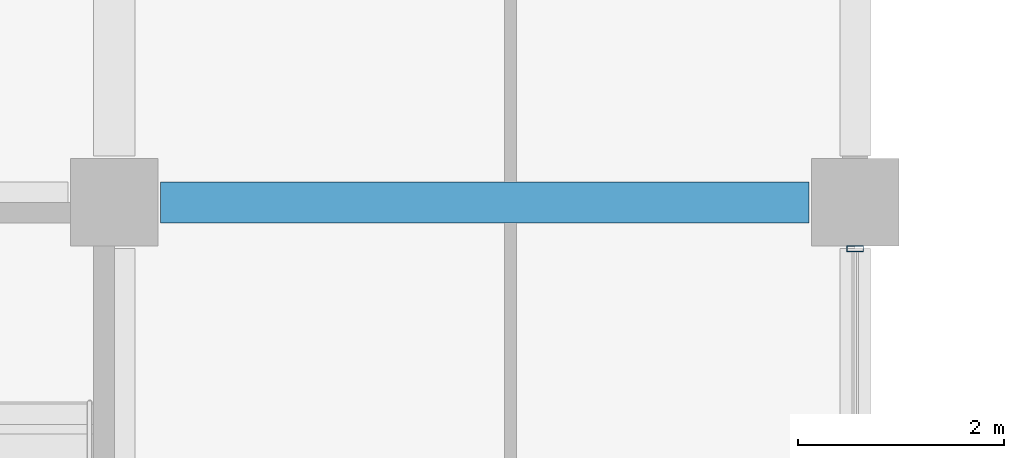
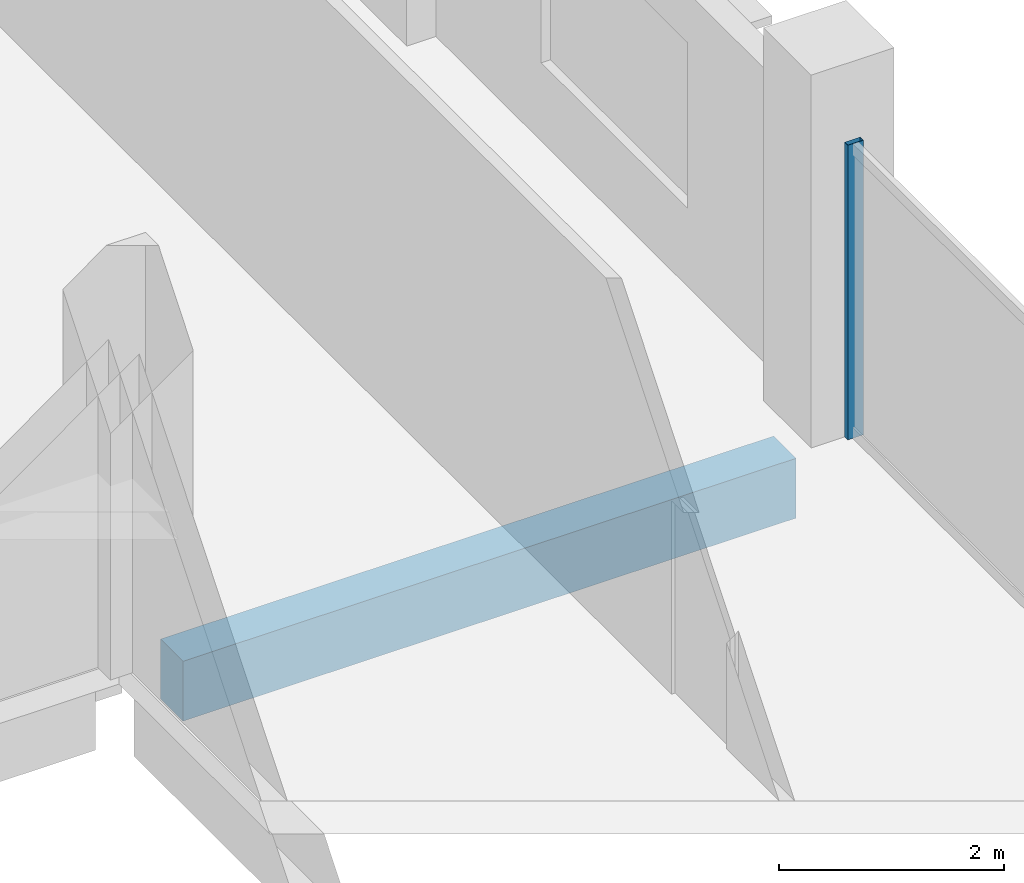
# One storey, part 24 of 107: 1 beam, 1 member, 1 element without a shape of its own.
"""IFC4 building model written with IfcOpenShell, lengths in metres."""

from ifc_helpers import new_model, si_unit, direction, frame, origin, origin_2d, place, context, subcontext, project, spatial, rectangle, hollow_rectangle, extrude, material, layer, layer_set, material_profile, profile_set, type_object, element, aggregate, save


model = new_model("IFC4")

# Units and contexts
model_context = context("Model", 3, precision=1e-05, world=origin(), true_north=direction((0.0, 1.0)))
body_context = subcontext(model_context, "Body", "Model", "MODEL_VIEW")
ifc_project = project(units=[si_unit("LENGTHUNIT", "METRE"), si_unit("AREAUNIT", "SQUARE_METRE"), si_unit("VOLUMEUNIT", "CUBIC_METRE"), si_unit("PLANEANGLEUNIT", "RADIAN"), si_unit("MASSUNIT", "GRAM", prefix="KILO")], contexts=[model_context])

# Site, building, storey
site_placement = place(None, origin())
site = spatial("IfcSite", under=ifc_project, at=site_placement, CompositionType="ELEMENT")
building_placement = place(site_placement, origin())
building = spatial("IfcBuilding", under=site, at=building_placement, Name="Kangsadwip Square Police Headquarters", CompositionType="ELEMENT")
storey_placement = place(building_placement, frame((0.0, 0.0, 5.39990234375)))
storey = spatial("IfcBuildingStorey", under=building, at=storey_placement, Name="L01", CompositionType="ELEMENT", Elevation=5.39990234375)

# Curtain wall, member
ifc_material_1 = material(Name="Thermally broken anodised aluminium AW-6063-T6", Category="aluminium")
ifc_layer = layer(ifc_material_1, 0.159912109375)
ifc_layer_set = layer_set([ifc_layer], Name="Thermally broken anodised aluminium AW-6063-T6")
curtain_wall_type = type_object("IfcCurtainWallType", Name="CourtScreen6360x3200", PredefinedType="USERDEFINED", material=ifc_layer_set)
curtain_wall_placement = place(storey_placement, origin())
curtain_wall = element("IfcCurtainWall", 1, at=curtain_wall_placement, inside=storey, type_object=curtain_wall_type, Name="Curtain Wall CW-L01-0216-0724", ObjectType="GLAZED_SCREEN", PredefinedType="USERDEFINED")
ifc_material_2 = material(Name="Thermally broken anodised aluminium AW-6063-T6", Category="aluminium")
ifc_material_profile_1 = material_profile(ifc_material_2, hollow_rectangle(XDim=0.06005859375, YDim=0.159912109375, WallThickness=0.00390625, at=origin_2d()), Name="CWM 160X60X4")
ifc_profile_set_1 = profile_set([ifc_material_profile_1], Name="Thermally broken anodised aluminium AW-6063-T6")
member_type = type_object("IfcMemberType", Name="CwMullion135x60", PredefinedType="MULLION", material=ifc_profile_set_1)
member_placement = place(storey_placement, frame((21.60009765625, 78.75, 0.0), z_axis=(0.0, 0.0, 1.0), x_axis=(0.0, 1.0, 0.0)))
member = element("IfcMember", 2, at=member_placement, type_object=member_type, Name="CW-29 mullion 2", PredefinedType="MULLION", context=body_context, shape_type="SweptSolid", body=[
    extrude(hollow_rectangle(XDim=0.06005859375, YDim=0.159912109375, WallThickness=0.00390625, at=origin_2d()), origin(), (0.0, 0.0, 1.0), 3.2001953125),
])
aggregate(curtain_wall, [member])

# Beam
ifc_material_3 = material(Name="Concrete M35 (35 MPa)", Category="concrete")
ifc_material_profile_2 = material_profile(ifc_material_3, rectangle(XDim=0.39990234375, YDim=0.64990234375, at=origin_2d()), Name="RC BM 650X400")
ifc_profile_set_2 = profile_set([ifc_material_profile_2], Name="Concrete M35 (35 MPa)")
beam_type = type_object("IfcBeamType", Name="RcBeam650x400", PredefinedType="BEAM", material=ifc_profile_set_2)
beam_placement = place(storey_placement, frame((14.85009765625, 79.199951171875, -0.56494140625), z_axis=(1.0, 0.0, 0.0), x_axis=(0.0, 1.0, 0.0)))
element("IfcBeam", 3, at=beam_placement, inside=storey, type_object=beam_type, Name="Beam BM-L01-X-02-11", PredefinedType="BEAM", context=body_context, shape_type="SweptSolid", body=[
    extrude(rectangle(XDim=0.39990234375, YDim=0.64990234375, at=origin_2d()), origin(), (0.0, 0.0, 1.0), 6.2998046875),
])

save(model, "model.ifc")
